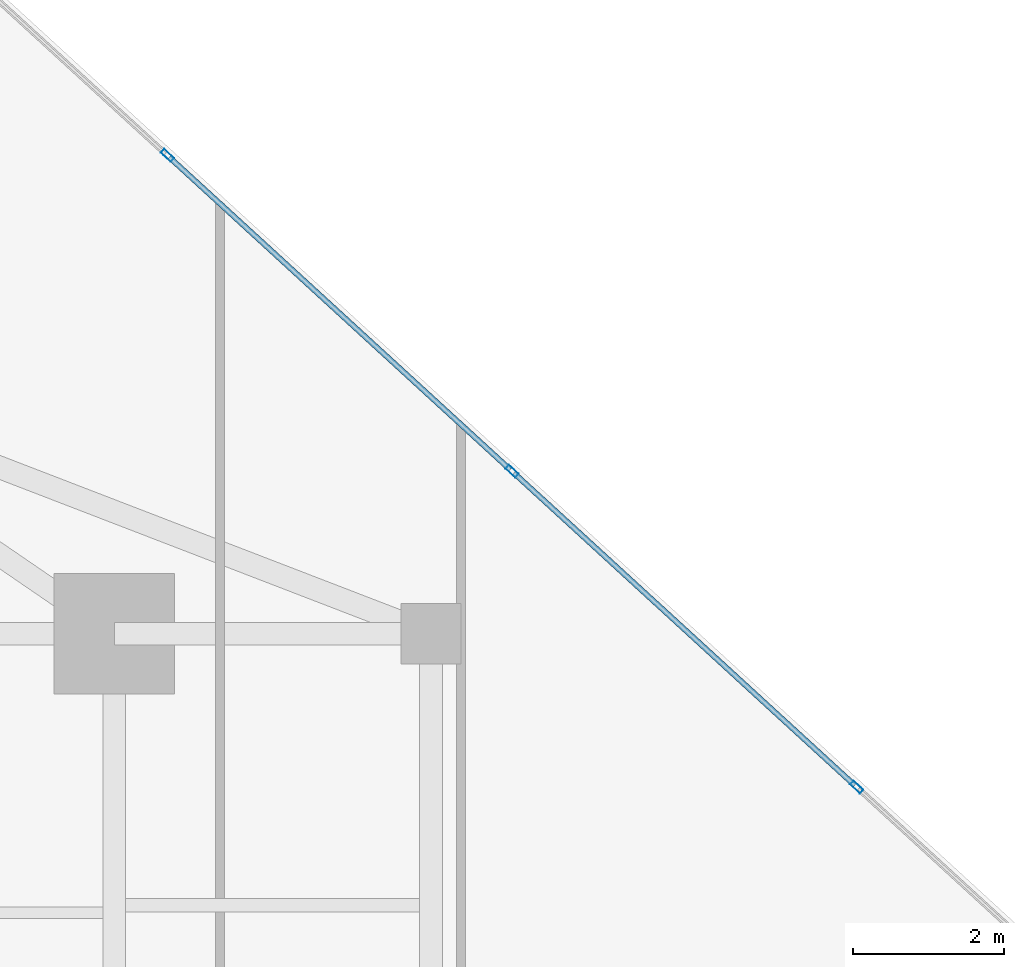
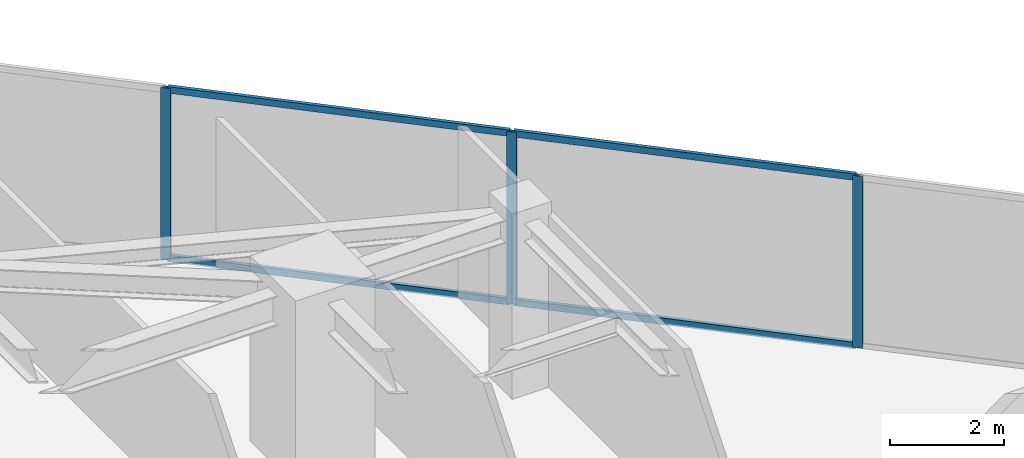
# One storey, part 19 of 26: 7 members, 1 element without a shape of its own.
"""IFC4 building model written with IfcOpenShell, lengths in metres."""

from ifc_helpers import new_model, si_unit, direction, frame, origin, origin_2d, place, context, subcontext, project, spatial, hollow_rectangle, extrude, source, transform, mapped, material, material_profile, profile_set, type_object, type_shapes, element, aggregate, save


model = new_model("IFC4")

# Units and contexts
model_context = context("Model", 3, precision=1e-05, world=origin(), true_north=direction((0.0, 1.0)))
body_context = subcontext(model_context, "Body", "Model", "MODEL_VIEW")
ifc_project = project(units=[si_unit("LENGTHUNIT", "METRE"), si_unit("AREAUNIT", "SQUARE_METRE"), si_unit("VOLUMEUNIT", "CUBIC_METRE"), si_unit("PLANEANGLEUNIT", "RADIAN"), si_unit("MASSUNIT", "GRAM", prefix="KILO")], contexts=[model_context])

# Site, building, storey
site_placement = place(None, origin())
site = spatial("IfcSite", under=ifc_project, at=site_placement, CompositionType="ELEMENT")
building_placement = place(site_placement, origin())
building = spatial("IfcBuilding", under=site, at=building_placement, Name="Krantzveldt Concourse Tower", CompositionType="ELEMENT")
storey_placement = place(building_placement, frame((0.0, 0.0, 227.050048828125)))
storey = spatial("IfcBuildingStorey", under=building, at=storey_placement, Name="L55", CompositionType="ELEMENT", Elevation=227.050048828125)

# Curtain wall, members
ifc_material = material(Name="Anodised aluminium 6063-T6", Category="aluminium")
curtain_wall_type = type_object("IfcCurtainWallType", Name="CW3", PredefinedType="USERDEFINED", material=ifc_material)
curtain_wall_placement = place(storey_placement, origin())
curtain_wall = element("IfcCurtainWall", 1, at=curtain_wall_placement, inside=storey, type_object=curtain_wall_type, Name="CW-L55-F14", ObjectType="UNITISED CURTAIN WALL", PredefinedType="USERDEFINED")
ifc_material_profile_1 = material_profile(ifc_material, hollow_rectangle(XDim=0.070068359375, YDim=0.179931640625, WallThickness=0.0048828125, at=origin_2d()), Name="Anodised aluminium 6063-T6", Category="aluminium")
ifc_profile_set_1 = profile_set([ifc_material_profile_1], Name="Anodised aluminium 6063-T6 - ALU-MULL 180x70x5")
member_type_1 = type_object("IfcMemberType", Name="CW-MUL-180", PredefinedType="MULLION", material=ifc_profile_set_1)
shared_shape_1 = source(origin(), body_context, "Body", "SweptSolid", [
    extrude(hollow_rectangle(XDim=0.070068359375, YDim=0.179931640625, WallThickness=0.0048828125, at=origin_2d()), origin(), (0.0, 0.0, 1.0), 3.669921875),
])
type_shapes(member_type_1, [shared_shape_1])
member_1_placement = place(storey_placement, frame((56.6455078125, 35.46484375, 0.0), z_axis=(0.0, 0.0, 1.0), x_axis=(-0.675590053651, -0.737277477893, 0.0)))
member_1 = element("IfcMember", 2, at=member_1_placement, type_object=member_type_1, Name="CW-Z34 mullion 2", PredefinedType="MULLION", context=body_context, shape_type="MappedRepresentation", body=[
    mapped(shared_shape_1, transform((0.0, 0.0, 0.0), x_axis=(1.0, 0.0, 0.0), y_axis=(0.0, 1.0, 0.0), z_axis=(0.0, 0.0, 1.0), scale=1.0)),
])
member_2_placement = place(storey_placement, frame((52.074462890625, 39.653564453125, 0.0), z_axis=(0.0, 0.0, 1.0), x_axis=(-0.675590053651, -0.737277477893, 0.0)))
member_2 = element("IfcMember", 3, at=member_2_placement, type_object=member_type_1, Name="CW-Z34 mullion 3", PredefinedType="MULLION", context=body_context, shape_type="MappedRepresentation", body=[
    mapped(shared_shape_1, transform((0.0, 0.0, 0.0), x_axis=(1.0, 0.0, 0.0), y_axis=(0.0, 1.0, 0.0), z_axis=(0.0, 0.0, 1.0), scale=1.0)),
])
member_3_placement = place(storey_placement, frame((47.503173828125, 43.84228515625, 0.0), z_axis=(0.0, 0.0, 1.0), x_axis=(-0.675590053651, -0.737277477893, 0.0)))
member_3 = element("IfcMember", 4, at=member_3_placement, type_object=member_type_1, Name="CW-Z34 mullion 4", PredefinedType="MULLION", context=body_context, shape_type="MappedRepresentation", body=[
    mapped(shared_shape_1, transform((0.0, 0.0, 0.0), x_axis=(1.0, 0.0, 0.0), y_axis=(0.0, 1.0, 0.0), z_axis=(0.0, 0.0, 1.0), scale=1.0)),
])
ifc_material_profile_2 = material_profile(ifc_material, hollow_rectangle(XDim=0.070068359375, YDim=0.139892578125, WallThickness=0.0048828125, at=origin_2d()), Name="Anodised aluminium 6063-T6", Category="aluminium")
ifc_profile_set_2 = profile_set([ifc_material_profile_2], Name="Anodised aluminium 6063-T6 - ALU-TRAN 140x70x5")
member_type_2 = type_object("IfcMemberType", Name="CW-TRN-150", PredefinedType="USERDEFINED", material=ifc_profile_set_2)
shared_shape_2 = source(origin(), body_context, "Body", "SweptSolid", [
    extrude(hollow_rectangle(XDim=0.070068359375, YDim=0.139892578125, WallThickness=0.0048828125, at=origin_2d()), origin(), (0.0, 0.0, 1.0), 6.130126953125),
])
type_shapes(member_type_2, [shared_shape_2])
member_4_placement = place(storey_placement, frame((56.61962890625, 35.488525390625, 0.034912109375), z_axis=(-0.737279770771, 0.675587551404, 0.0), x_axis=(-0.675587551404, -0.737279770771, 0.0)))
member_4 = element("IfcMember", 5, at=member_4_placement, type_object=member_type_2, Name="CW-Z34 transom 2.1", ObjectType="TRANSOM", PredefinedType="USERDEFINED", context=body_context, shape_type="MappedRepresentation", body=[
    mapped(shared_shape_2, transform((0.0, 0.0, 0.0), x_axis=(1.0, 0.0, 0.0), y_axis=(0.0, 1.0, 0.0), z_axis=(0.0, 0.0, 1.0), scale=1.0)),
])
member_5_placement = place(storey_placement, frame((56.61962890625, 35.488525390625, 3.635009765625), z_axis=(-0.737279770771, 0.675587551404, 0.0), x_axis=(-0.675587551404, -0.737279770771, 0.0)))
member_5 = element("IfcMember", 6, at=member_5_placement, type_object=member_type_2, Name="CW-Z34 transom 2.2", ObjectType="TRANSOM", PredefinedType="USERDEFINED", context=body_context, shape_type="MappedRepresentation", body=[
    mapped(shared_shape_2, transform((0.0, 0.0, 0.0), x_axis=(1.0, 0.0, 0.0), y_axis=(0.0, 1.0, 0.0), z_axis=(0.0, 0.0, 1.0), scale=1.0)),
])
member_6_placement = place(storey_placement, frame((52.048583984375, 39.67724609375, 0.034912109375), z_axis=(-0.737279770771, 0.675587551404, 0.0), x_axis=(-0.675587551404, -0.737279770771, 0.0)))
member_6 = element("IfcMember", 7, at=member_6_placement, type_object=member_type_2, Name="CW-Z34 transom 3.1", ObjectType="TRANSOM", PredefinedType="USERDEFINED", context=body_context, shape_type="MappedRepresentation", body=[
    mapped(shared_shape_2, transform((0.0, 0.0, 0.0), x_axis=(1.0, 0.0, 0.0), y_axis=(0.0, 1.0, 0.0), z_axis=(0.0, 0.0, 1.0), scale=1.0)),
])
member_7_placement = place(storey_placement, frame((52.048583984375, 39.67724609375, 3.635009765625), z_axis=(-0.737279770771, 0.675587551404, 0.0), x_axis=(-0.675587551404, -0.737279770771, 0.0)))
member_7 = element("IfcMember", 8, at=member_7_placement, type_object=member_type_2, Name="CW-Z34 transom 3.2", ObjectType="TRANSOM", PredefinedType="USERDEFINED", context=body_context, shape_type="MappedRepresentation", body=[
    mapped(shared_shape_2, transform((0.0, 0.0, 0.0), x_axis=(1.0, 0.0, 0.0), y_axis=(0.0, 1.0, 0.0), z_axis=(0.0, 0.0, 1.0), scale=1.0)),
])
aggregate(curtain_wall, [member_1, member_2, member_3, member_4, member_5, member_6, member_7])

save(model, "model.ifc")
